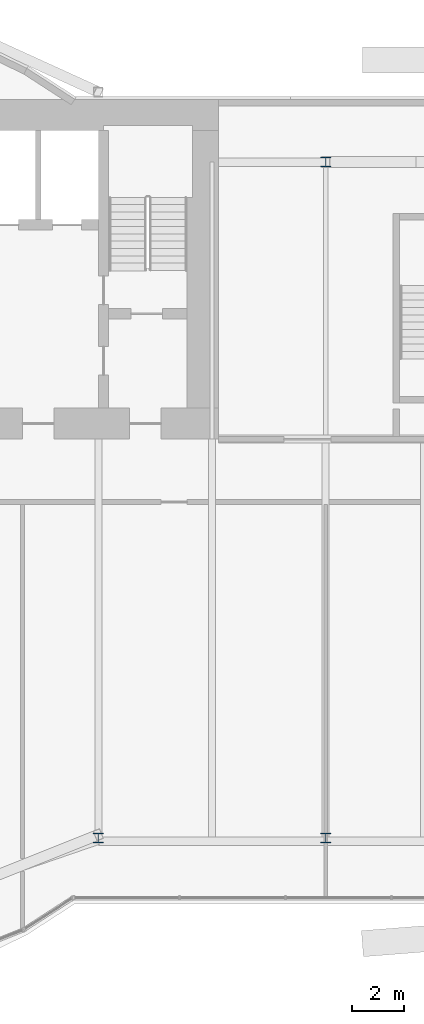
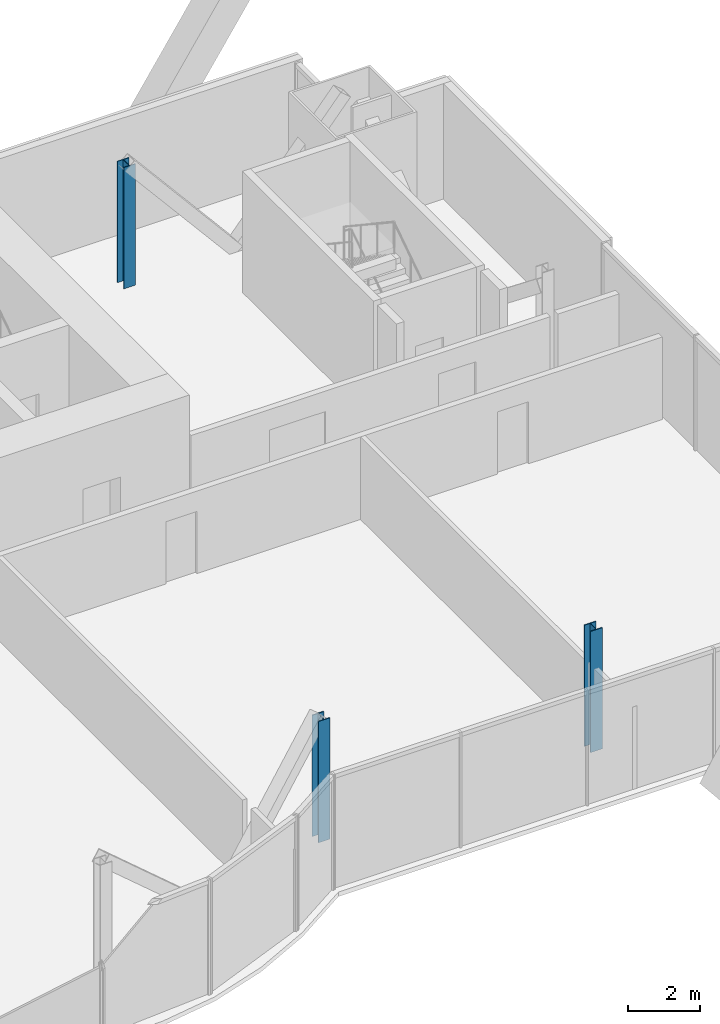
# One storey, part 2 of 20: 3 columns.
"""IFC4 building model written with IfcOpenShell, lengths in metres."""

from ifc_helpers import new_model, si_unit, direction, frame, origin, origin_2d, place, context, subcontext, project, spatial, i_section, extrude, material, material_profile, profile_set, type_object, element, save


model = new_model("IFC4")

# Units and contexts
model_context = context("Model", 3, precision=1e-05, world=origin(), true_north=direction((0.0, 1.0)))
body_context = subcontext(model_context, "Body", "Model", "MODEL_VIEW")
ifc_project = project(units=[si_unit("LENGTHUNIT", "METRE"), si_unit("AREAUNIT", "SQUARE_METRE"), si_unit("VOLUMEUNIT", "CUBIC_METRE"), si_unit("PLANEANGLEUNIT", "RADIAN"), si_unit("MASSUNIT", "GRAM", prefix="KILO")], contexts=[model_context])

# Site, building, storey
site_placement = place(None, origin())
site = spatial("IfcSite", under=ifc_project, at=site_placement, CompositionType="ELEMENT")
building_placement = place(site_placement, origin())
building = spatial("IfcBuilding", under=site, at=building_placement, Name="Bicima Exchange Tower", CompositionType="ELEMENT")
storey_placement = place(building_placement, frame((0.0, 0.0, 231.89990234375)))
storey = spatial("IfcBuildingStorey", under=building, at=storey_placement, Name="L52", CompositionType="ELEMENT", Elevation=231.89990234375)

# Columns
ifc_material = material(Name="Steel ASTM A992 Gr 50", Category="steel")
ifc_material_profile = material_profile(ifc_material, i_section(OverallWidth=0.373291015625, OverallDepth=0.373291015625, WebThickness=0.016357421875, FlangeThickness=0.026123046875, at=origin_2d()))
ifc_profile_set = profile_set([ifc_material_profile], Name="Steel ASTM A992 Gr 50")
column_type = type_object("IfcColumnType", Name="Perimeter column W14x132", PredefinedType="COLUMN", material=ifc_profile_set)
for number, where, z_axis, x_axis, name in (
    (1, (17.39990234375, -28.25390625, 0.0), (0.0, 0.0, 1.0), (1.0, 0.0, 0.0), "Perimeter column grav+17.4f"),
    (2, (26.10009765625, -28.25390625, 0.0), (0.0, 0.0, 1.0), (1.0, 0.0, 0.0), "Perimeter column grav+26.1f"),
    (3, (26.10009765625, -2.39990234375, 0.0), (0.0, 0.0, 1.0), (1.0, 0.0, 0.0), "Perimeter column grav+26.1r"),
):
    element("IfcColumn", number, at=place(storey_placement, frame(where, z_axis=z_axis, x_axis=x_axis)), inside=storey, type_object=column_type, Name=name, PredefinedType="COLUMN", context=body_context, shape_type="SweptSolid", body=[
        extrude(i_section(OverallWidth=0.373291015625, OverallDepth=0.373291015625, WebThickness=0.016357421875, FlangeThickness=0.026123046875, at=origin_2d()), origin(), (0.0, 0.0, 1.0), 4.10009765625),
    ])

save(model, "model.ifc")
